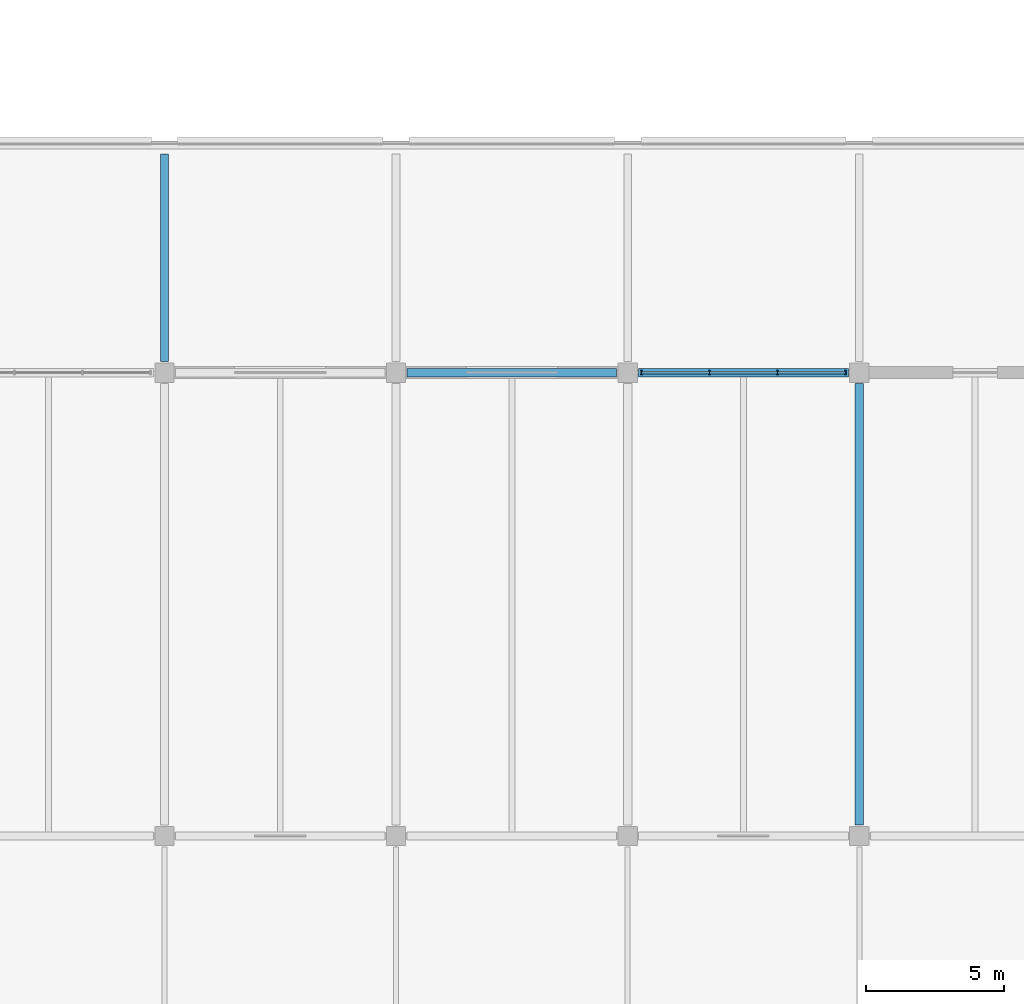
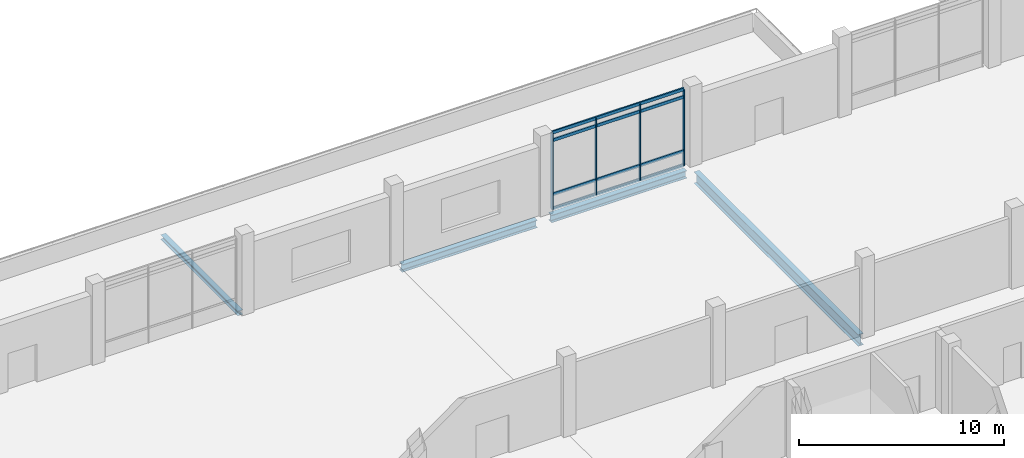
# One storey, part 12 of 110: 16 members, 4 beams, 1 element without a shape of its own.
"""IFC4 building model written with IfcOpenShell, lengths in metres."""

from ifc_helpers import new_model, si_unit, direction, frame, origin, origin_2d, place, context, subcontext, project, spatial, rectangle, i_section, extrude, material, layer, layer_set, material_profile, profile_set, type_object, element, aggregate, save


model = new_model("IFC4")

# Units and contexts
model_context = context("Model", 3, precision=1e-05, world=origin(), true_north=direction((0.0, 1.0)))
body_context = subcontext(model_context, "Body", "Model", "MODEL_VIEW")
ifc_project = project(units=[si_unit("LENGTHUNIT", "METRE"), si_unit("AREAUNIT", "SQUARE_METRE"), si_unit("VOLUMEUNIT", "CUBIC_METRE"), si_unit("PLANEANGLEUNIT", "RADIAN"), si_unit("MASSUNIT", "GRAM", prefix="KILO")], contexts=[model_context])

# Site, building, storey
site_placement = place(None, origin())
site = spatial("IfcSite", under=ifc_project, at=site_placement, CompositionType="ELEMENT")
building_placement = place(site_placement, origin())
building = spatial("IfcBuilding", under=site, at=building_placement, Name="Qawsi Khor Wholesale Market", CompositionType="ELEMENT")
storey_placement = place(building_placement, frame((0.0, 0.0, 11.39990234375)))
storey = spatial("IfcBuildingStorey", under=building, at=storey_placement, Name="L02", CompositionType="ELEMENT", Elevation=11.39990234375)

# Curtain wall, members
ifc_material_1 = material(Name="Aluminium Anodised Bronze", Category="aluminium")
ifc_layer = layer(ifc_material_1, 0.169921875, Name="Aluminium Anodised Bronze")
ifc_layer_set = layer_set([ifc_layer], Name="Aluminium Anodised Bronze")
curtain_wall_type = type_object("IfcCurtainWallType", Name="Central Court Gallery Curtain Wall CW-05", PredefinedType="NOTDEFINED", material=ifc_layer_set)
curtain_wall_placement = place(storey_placement, origin())
curtain_wall = element("IfcCurtainWall", 1, at=curtain_wall_placement, inside=storey, type_object=curtain_wall_type, Name="Curtain wall CW-CW-05-L02-068", PredefinedType="NOTDEFINED")
ifc_material_profile_1 = material_profile(ifc_material_1, rectangle(XDim=0.06005859375, YDim=0.159912109375, at=origin_2d()), Name="ALU MULLION 60x160")
ifc_profile_set_1 = profile_set([ifc_material_profile_1], Name="Aluminium Anodised Bronze")
member_type_1 = type_object("IfcMemberType", Name="Curtain Wall Mullion CW-05 ALU MULLION 60x160", PredefinedType="MULLION", material=ifc_profile_set_1)
member_1_placement = place(storey_placement, frame((118.10009765625, 42.0, -0.02001953125), z_axis=(0.0, 0.0, 1.0), x_axis=(1.0, 0.0, 0.0)))
member_1 = element("IfcMember", 2, at=member_1_placement, type_object=member_type_1, Name="Mullion CW-CW-05-L02-068-M00", PredefinedType="MULLION", context=body_context, shape_type="SweptSolid", body=[
    extrude(rectangle(XDim=0.06005859375, YDim=0.159912109375, at=origin_2d()), origin(), (0.0, 0.0, 1.0), 4.5400390625),
])
member_2_placement = place(storey_placement, frame((120.566650390625, 42.0, -0.02001953125), z_axis=(0.0, 0.0, 1.0), x_axis=(1.0, 0.0, 0.0)))
member_2 = element("IfcMember", 3, at=member_2_placement, type_object=member_type_1, Name="Mullion CW-CW-05-L02-068-M01", PredefinedType="MULLION", context=body_context, shape_type="SweptSolid", body=[
    extrude(rectangle(XDim=0.06005859375, YDim=0.159912109375, at=origin_2d()), origin(), (0.0, 0.0, 1.0), 4.5400390625),
])
member_3_placement = place(storey_placement, frame((123.033203125, 42.0, -0.02001953125), z_axis=(0.0, 0.0, 1.0), x_axis=(1.0, 0.0, 0.0)))
member_3 = element("IfcMember", 4, at=member_3_placement, type_object=member_type_1, Name="Mullion CW-CW-05-L02-068-M02", PredefinedType="MULLION", context=body_context, shape_type="SweptSolid", body=[
    extrude(rectangle(XDim=0.06005859375, YDim=0.159912109375, at=origin_2d()), origin(), (0.0, 0.0, 1.0), 4.5400390625),
])
member_4_placement = place(storey_placement, frame((125.5, 42.0, -0.02001953125), z_axis=(0.0, 0.0, 1.0), x_axis=(1.0, 0.0, 0.0)))
member_4 = element("IfcMember", 5, at=member_4_placement, type_object=member_type_1, Name="Mullion CW-CW-05-L02-068-M03", PredefinedType="MULLION", context=body_context, shape_type="SweptSolid", body=[
    extrude(rectangle(XDim=0.06005859375, YDim=0.159912109375, at=origin_2d()), origin(), (0.0, 0.0, 1.0), 4.5400390625),
])
ifc_material_profile_2 = material_profile(ifc_material_1, rectangle(XDim=0.080078125, YDim=0.179931640625, at=origin_2d()), Name="ALU TRANSOM 80x180")
ifc_profile_set_2 = profile_set([ifc_material_profile_2], Name="Aluminium Anodised Bronze")
member_type_2 = type_object("IfcMemberType", Name="Curtain Wall Transom CW-05 ALU TRANSOM 80x180", PredefinedType="USERDEFINED", material=ifc_profile_set_2)
member_5_placement = place(storey_placement, frame((118.10009765625, 42.0, 0.0), z_axis=(1.0, 0.0, 0.0), x_axis=(0.0, 1.0, 0.0)))
member_5 = element("IfcMember", 6, at=member_5_placement, type_object=member_type_2, Name="Transom CW-CW-05-L02-068-T0_00", ObjectType="TRANSOM", PredefinedType="USERDEFINED", context=body_context, shape_type="SweptSolid", body=[
    extrude(rectangle(XDim=0.080078125, YDim=0.179931640625, at=origin_2d()), origin(), (0.0, 0.0, 1.0), 2.466552734375),
])
member_6_placement = place(storey_placement, frame((120.566650390625, 42.0, 0.0), z_axis=(1.0, 0.0, 0.0), x_axis=(0.0, 1.0, 0.0)))
member_6 = element("IfcMember", 7, at=member_6_placement, type_object=member_type_2, Name="Transom CW-CW-05-L02-068-T0_01", ObjectType="TRANSOM", PredefinedType="USERDEFINED", context=body_context, shape_type="SweptSolid", body=[
    extrude(rectangle(XDim=0.080078125, YDim=0.179931640625, at=origin_2d()), origin(), (0.0, 0.0, 1.0), 2.466552734375),
])
member_7_placement = place(storey_placement, frame((123.033203125, 42.0, 0.0), z_axis=(1.0, 0.0, 0.0), x_axis=(0.0, 1.0, 0.0)))
member_7 = element("IfcMember", 8, at=member_7_placement, type_object=member_type_2, Name="Transom CW-CW-05-L02-068-T0_02", ObjectType="TRANSOM", PredefinedType="USERDEFINED", context=body_context, shape_type="SweptSolid", body=[
    extrude(rectangle(XDim=0.080078125, YDim=0.179931640625, at=origin_2d()), origin(), (0.0, 0.0, 1.0), 2.466796875),
])
member_8_placement = place(storey_placement, frame((118.10009765625, 42.0, 0.85009765625), z_axis=(1.0, 0.0, 0.0), x_axis=(0.0, 1.0, 0.0)))
member_8 = element("IfcMember", 9, at=member_8_placement, type_object=member_type_2, Name="Transom CW-CW-05-L02-068-T1_00", ObjectType="TRANSOM", PredefinedType="USERDEFINED", context=body_context, shape_type="SweptSolid", body=[
    extrude(rectangle(XDim=0.080078125, YDim=0.179931640625, at=origin_2d()), origin(), (0.0, 0.0, 1.0), 2.466552734375),
])
member_9_placement = place(storey_placement, frame((120.566650390625, 42.0, 0.85009765625), z_axis=(1.0, 0.0, 0.0), x_axis=(0.0, 1.0, 0.0)))
member_9 = element("IfcMember", 10, at=member_9_placement, type_object=member_type_2, Name="Transom CW-CW-05-L02-068-T1_01", ObjectType="TRANSOM", PredefinedType="USERDEFINED", context=body_context, shape_type="SweptSolid", body=[
    extrude(rectangle(XDim=0.080078125, YDim=0.179931640625, at=origin_2d()), origin(), (0.0, 0.0, 1.0), 2.466552734375),
])
member_10_placement = place(storey_placement, frame((123.033203125, 42.0, 0.85009765625), z_axis=(1.0, 0.0, 0.0), x_axis=(0.0, 1.0, 0.0)))
member_10 = element("IfcMember", 11, at=member_10_placement, type_object=member_type_2, Name="Transom CW-CW-05-L02-068-T1_02", ObjectType="TRANSOM", PredefinedType="USERDEFINED", context=body_context, shape_type="SweptSolid", body=[
    extrude(rectangle(XDim=0.080078125, YDim=0.179931640625, at=origin_2d()), origin(), (0.0, 0.0, 1.0), 2.466796875),
])
member_11_placement = place(storey_placement, frame((118.10009765625, 42.0, 4.070068359375), z_axis=(1.0, 0.0, 0.0), x_axis=(0.0, 1.0, 0.0)))
member_11 = element("IfcMember", 12, at=member_11_placement, type_object=member_type_2, Name="Transom CW-CW-05-L02-068-T2_00", ObjectType="TRANSOM", PredefinedType="USERDEFINED", context=body_context, shape_type="SweptSolid", body=[
    extrude(rectangle(XDim=0.080078125, YDim=0.179931640625, at=origin_2d()), origin(), (0.0, 0.0, 1.0), 2.466552734375),
])
member_12_placement = place(storey_placement, frame((120.566650390625, 42.0, 4.070068359375), z_axis=(1.0, 0.0, 0.0), x_axis=(0.0, 1.0, 0.0)))
member_12 = element("IfcMember", 13, at=member_12_placement, type_object=member_type_2, Name="Transom CW-CW-05-L02-068-T2_01", ObjectType="TRANSOM", PredefinedType="USERDEFINED", context=body_context, shape_type="SweptSolid", body=[
    extrude(rectangle(XDim=0.080078125, YDim=0.179931640625, at=origin_2d()), origin(), (0.0, 0.0, 1.0), 2.466552734375),
])
member_13_placement = place(storey_placement, frame((123.033203125, 42.0, 4.070068359375), z_axis=(1.0, 0.0, 0.0), x_axis=(0.0, 1.0, 0.0)))
member_13 = element("IfcMember", 14, at=member_13_placement, type_object=member_type_2, Name="Transom CW-CW-05-L02-068-T2_02", ObjectType="TRANSOM", PredefinedType="USERDEFINED", context=body_context, shape_type="SweptSolid", body=[
    extrude(rectangle(XDim=0.080078125, YDim=0.179931640625, at=origin_2d()), origin(), (0.0, 0.0, 1.0), 2.466796875),
])
member_14_placement = place(storey_placement, frame((118.10009765625, 42.0, 4.52001953125), z_axis=(1.0, 0.0, 0.0), x_axis=(0.0, 1.0, 0.0)))
member_14 = element("IfcMember", 15, at=member_14_placement, type_object=member_type_2, Name="Transom CW-CW-05-L02-068-T3_00", ObjectType="TRANSOM", PredefinedType="USERDEFINED", context=body_context, shape_type="SweptSolid", body=[
    extrude(rectangle(XDim=0.080078125, YDim=0.179931640625, at=origin_2d()), origin(), (0.0, 0.0, 1.0), 2.466552734375),
])
member_15_placement = place(storey_placement, frame((120.566650390625, 42.0, 4.52001953125), z_axis=(1.0, 0.0, 0.0), x_axis=(0.0, 1.0, 0.0)))
member_15 = element("IfcMember", 16, at=member_15_placement, type_object=member_type_2, Name="Transom CW-CW-05-L02-068-T3_01", ObjectType="TRANSOM", PredefinedType="USERDEFINED", context=body_context, shape_type="SweptSolid", body=[
    extrude(rectangle(XDim=0.080078125, YDim=0.179931640625, at=origin_2d()), origin(), (0.0, 0.0, 1.0), 2.466552734375),
])
member_16_placement = place(storey_placement, frame((123.033203125, 42.0, 4.52001953125), z_axis=(1.0, 0.0, 0.0), x_axis=(0.0, 1.0, 0.0)))
member_16 = element("IfcMember", 17, at=member_16_placement, type_object=member_type_2, Name="Transom CW-CW-05-L02-068-T3_02", ObjectType="TRANSOM", PredefinedType="USERDEFINED", context=body_context, shape_type="SweptSolid", body=[
    extrude(rectangle(XDim=0.080078125, YDim=0.179931640625, at=origin_2d()), origin(), (0.0, 0.0, 1.0), 2.466796875),
])
aggregate(curtain_wall, [member_1, member_2, member_3, member_4, member_5, member_6, member_7, member_8, member_9, member_10, member_11, member_12, member_13, member_14, member_15, member_16])

# Beams
ifc_material_2 = material(Name="Steel S355", Category="steel")
ifc_material_profile_3 = material_profile(ifc_material_2, i_section(OverallWidth=0.300048828125, OverallDepth=0.449951171875, WebThickness=0.013916015625, FlangeThickness=0.02587890625, FilletRadius=0.027099609375, at=origin_2d()), Name="HEB 450")
ifc_profile_set_3 = profile_set([ifc_material_profile_3], Name="Steel S355")
beam_type_1 = type_object("IfcBeamType", Name="Heavy Edge Girder HEB 450", PredefinedType="BEAM", material=ifc_profile_set_3)
beam_1_placement = place(storey_placement, frame((109.60009765625, 42.0, -0.5048828125), z_axis=(1.0, 0.0, 0.0), x_axis=(0.0, 1.0, 0.0)))
element("IfcBeam", 18, at=beam_1_placement, inside=storey, type_object=beam_type_1, Name="BM-X-L02-13_+05", PredefinedType="BEAM", context=body_context, shape_type="SweptSolid", body=[
    extrude(i_section(OverallWidth=0.300048828125, OverallDepth=0.449951171875, WebThickness=0.013916015625, FlangeThickness=0.02587890625, FilletRadius=0.027099609375, at=origin_2d()), origin(), (0.0, 0.0, 1.0), 7.599853515625),
])
beam_2_placement = place(storey_placement, frame((118.0, 42.0, -0.5048828125), z_axis=(1.0, 0.0, 0.0), x_axis=(0.0, 1.0, 0.0)))
element("IfcBeam", 19, at=beam_2_placement, inside=storey, type_object=beam_type_1, Name="BM-X-L02-14_+05", PredefinedType="BEAM", context=body_context, shape_type="SweptSolid", body=[
    extrude(i_section(OverallWidth=0.300048828125, OverallDepth=0.449951171875, WebThickness=0.013916015625, FlangeThickness=0.02587890625, FilletRadius=0.027099609375, at=origin_2d()), origin(), (0.0, 0.0, 1.0), 7.60009765625),
])
ifc_material_profile_4 = material_profile(ifc_material_2, i_section(OverallWidth=0.280029296875, OverallDepth=0.27001953125, WebThickness=0.008056640625, FlangeThickness=0.012939453125, FilletRadius=0.02392578125, at=origin_2d()), Name="HEA 280")
ifc_profile_set_4 = profile_set([ifc_material_profile_4], Name="Steel S355")
beam_type_2 = type_object("IfcBeamType", Name="Primary Girder HEA 280", PredefinedType="BEAM", material=ifc_profile_set_4)
beam_3_placement = place(storey_placement, frame((100.800048828125, 42.39990234375, -0.385009765625), z_axis=(0.0, 1.0, 0.0), x_axis=(-1.0, 0.0, 0.0)))
element("IfcBeam", 20, at=beam_3_placement, inside=storey, type_object=beam_type_2, Name="BM-Y-L02-12_+05", PredefinedType="BEAM", context=body_context, shape_type="SweptSolid", body=[
    extrude(i_section(OverallWidth=0.280029296875, OverallDepth=0.27001953125, WebThickness=0.008056640625, FlangeThickness=0.012939453125, FilletRadius=0.02392578125, at=origin_2d()), origin(), (0.0, 0.0, 1.0), 7.525146484375),
])
ifc_material_profile_5 = material_profile(ifc_material_2, i_section(OverallWidth=0.300048828125, OverallDepth=0.68994140625, WebThickness=0.014404296875, FlangeThickness=0.027099609375, FilletRadius=0.027099609375, at=origin_2d()), Name="HEA 700")
ifc_profile_set_5 = profile_set([ifc_material_profile_5], Name="Steel S355")
beam_type_3 = type_object("IfcBeamType", Name="Primary Girder HEA 700", PredefinedType="BEAM", material=ifc_profile_set_5)
beam_4_placement = place(storey_placement, frame((126.0, 25.60009765625, -0.625), z_axis=(0.0, 1.0, 0.0), x_axis=(-1.0, 0.0, 0.0)))
element("IfcBeam", 21, at=beam_4_placement, inside=storey, type_object=beam_type_3, Name="BM-YL-L02-15_+03", PredefinedType="BEAM", context=body_context, shape_type="SweptSolid", body=[
    extrude(i_section(OverallWidth=0.300048828125, OverallDepth=0.68994140625, WebThickness=0.014404296875, FlangeThickness=0.027099609375, FilletRadius=0.027099609375, at=origin_2d()), origin(), (0.0, 0.0, 1.0), 16.0),
])

save(model, "model.ifc")
